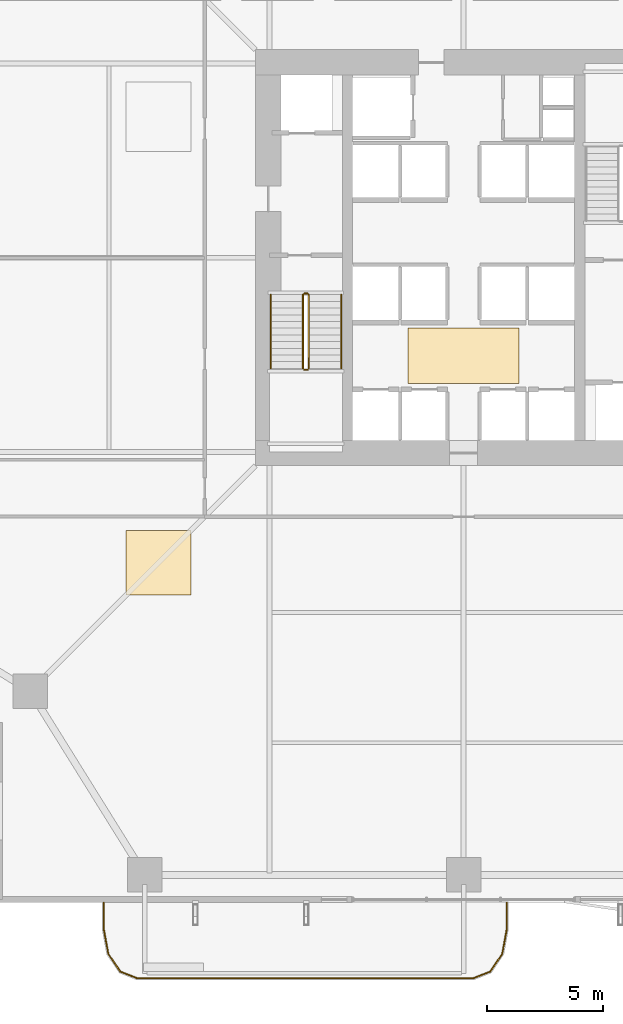
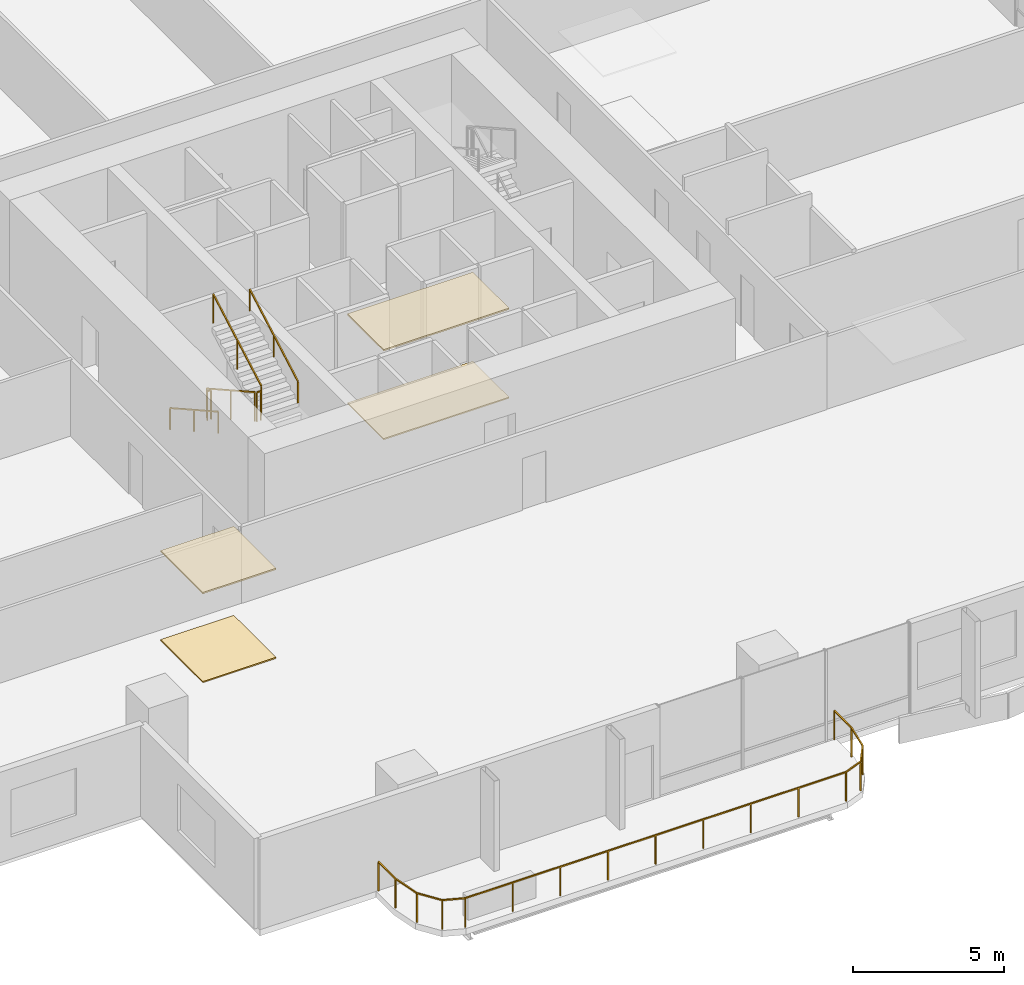
# One storey, part 21 of 23: 7 railings, 4 coverings.
"""IFC4 building model written with IfcOpenShell, lengths in metres."""

from ifc_helpers import new_model, si_unit, direction, frame, origin, origin_2d, place, context, subcontext, project, spatial, polyline, rectangle, outline, extrude, material, layer, layer_set, type_object, element, save


model = new_model("IFC4")

# Units and contexts
model_context = context("Model", 3, precision=1e-05, world=origin(), true_north=direction((0.0, 1.0)))
body_context = subcontext(model_context, "Body", "Model", "MODEL_VIEW")
ifc_project = project(units=[si_unit("LENGTHUNIT", "METRE"), si_unit("AREAUNIT", "SQUARE_METRE"), si_unit("VOLUMEUNIT", "CUBIC_METRE"), si_unit("PLANEANGLEUNIT", "RADIAN"), si_unit("MASSUNIT", "GRAM", prefix="KILO")], contexts=[model_context])

# Site, building, storey
site_placement = place(None, origin())
site = spatial("IfcSite", under=ifc_project, at=site_placement, CompositionType="ELEMENT")
building_placement = place(site_placement, origin())
building = spatial("IfcBuilding", under=site, at=building_placement, Name="Belovzor Exchange Tower", CompositionType="ELEMENT")
storey_placement = place(building_placement, frame((0.0, 0.0, 100.199951171875)))
storey = spatial("IfcBuildingStorey", under=building, at=storey_placement, Name="L24", CompositionType="ELEMENT", Elevation=100.199951171875)

# Railings
ifc_material_1 = material(Name="Stainless Steel Grade 304", Category="steel")
railing_type_1 = type_object("IfcRailingType", Name="Brushed Stainless Steel Stair Handrail 900", PredefinedType="HANDRAIL", material=ifc_material_1)
railing_1_placement = place(storey_placement, frame((20.449951171875, 27.199951171875, 0.16259765625)))
element("IfcRailing", 1, at=railing_1_placement, inside=storey, type_object=railing_type_1, Name="L24 ST-1 stair handrail 1", PredefinedType="HANDRAIL", context=body_context, shape_type="SweptSolid", body=[
    extrude(rectangle(XDim=0.048095703125, YDim=0.048095703125, at=origin_2d()), frame((0.0, 0.0, 0.8759765625), z_axis=(0.0, -0.872390997893, 0.488808701636), x_axis=(1.0, 0.0, 0.0)), (0.0, 0.0, 1.0), 3.656494140625),
    extrude(rectangle(XDim=0.0419921875, YDim=0.0419921875, at=origin_2d()), origin(), (0.0, 0.0, 1.0), 0.851806640625),
    extrude(rectangle(XDim=0.0419921875, YDim=0.0419921875, at=origin_2d()), frame((0.0, -1.594970703125, 0.8935546875)), (0.0, 0.0, 1.0), 0.851806640625),
    extrude(rectangle(XDim=0.0419921875, YDim=0.0419921875, at=origin_2d()), frame((0.0, -3.18994140625, 1.787353515625)), (0.0, 0.0, 1.0), 0.851806640625),
])
railing_2_placement = place(storey_placement, frame((23.5, 24.010009765625, 2.112548828125)))
element("IfcRailing", 2, at=railing_2_placement, inside=storey, type_object=railing_type_1, Name="L24 ST-1 stair handrail 2", PredefinedType="HANDRAIL", context=body_context, shape_type="SweptSolid", body=[
    extrude(rectangle(XDim=0.048095703125, YDim=0.048095703125, at=origin_2d()), frame((0.0, 0.0, 0.8759765625), z_axis=(0.0, 0.8723625253, 0.488859514025), x_axis=(-1.0, 0.0, 0.0)), (0.0, 0.0, 1.0), 3.65673828125),
    extrude(rectangle(XDim=0.0419921875, YDim=0.0419921875, at=origin_2d()), origin(), (0.0, 0.0, 1.0), 0.851806640625),
    extrude(rectangle(XDim=0.0419921875, YDim=0.0419921875, at=origin_2d()), frame((0.0, 1.594970703125, 0.893798828125)), (0.0, 0.0, 1.0), 0.851806640625),
    extrude(rectangle(XDim=0.0419921875, YDim=0.0419921875, at=origin_2d()), frame((0.0, 3.18994140625, 1.78759765625)), (0.0, 0.0, 1.0), 0.851806640625),
])
ifc_material_2 = material(Name="Stainless Steel and Laminated Safety Glass", Category="steel")
railing_type_2 = type_object("IfcRailingType", Name="Laminated Glass & Stainless Steel Balcony Balustrade 1200", PredefinedType="BALUSTRADE", material=ifc_material_2)
railing_3_placement = place(storey_placement, frame((13.22998046875, 0.889892578125, 0.0)))
element("IfcRailing", 3, at=railing_3_placement, inside=storey, type_object=railing_type_2, Name="GR-1 Balcony Balustrade L24 South", PredefinedType="BALUSTRADE", context=body_context, shape_type="SweptSolid", body=[
    extrude(rectangle(XDim=0.048095703125, YDim=0.048095703125, at=origin_2d()), frame((0.0, 0.0, 1.17578125), z_axis=(0.0, -1.0, 0.0), x_axis=(1.0, 0.0, 0.0)), (0.0, 0.0, 1.0), 1.1328125),
    extrude(rectangle(XDim=0.048095703125, YDim=0.048095703125, at=origin_2d()), frame((0.0, -1.1328125, 1.17578125), z_axis=(0.180083182347, -0.983651385113, 0.0), x_axis=(0.983651385113, 0.180083182347, 0.0)), (0.0, 0.0, 1.0), 1.093994140625),
    extrude(rectangle(XDim=0.048095703125, YDim=0.048095703125, at=origin_2d()), frame((0.197021484375, -2.208984375, 1.17578125), z_axis=(0.562768145367, -0.826614792125, 0.0), x_axis=(0.826614792125, 0.562768145367, 0.0)), (0.0, 0.0, 1.0), 0.9326171875),
    extrude(rectangle(XDim=0.048095703125, YDim=0.048095703125, at=origin_2d()), frame((0.721923828125, -2.97998046875, 1.17578125), z_axis=(0.930809580156, -0.365504480807, 0.0), x_axis=(0.365504480807, 0.930809580156, 0.0)), (0.0, 0.0, 1.0), 0.76611328125),
    extrude(rectangle(XDim=0.048095703125, YDim=0.048095703125, at=origin_2d()), frame((1.43505859375, -3.260009765625, 1.17578125), z_axis=(1.0, 0.0, 0.0), x_axis=(0.0, 1.0, 0.0)), (0.0, 0.0, 1.0), 14.570068359375),
    extrude(rectangle(XDim=0.048095703125, YDim=0.048095703125, at=origin_2d()), frame((16.005126953125, -3.260009765625, 1.17578125), z_axis=(0.930766990125, 0.365612923861, 0.0), x_axis=(-0.365612923861, 0.930766990125, 0.0)), (0.0, 0.0, 1.0), 0.765869140625),
    extrude(rectangle(XDim=0.048095703125, YDim=0.048095703125, at=origin_2d()), frame((16.718017578125, -2.97998046875, 1.17578125), z_axis=(0.562768145367, 0.826614792125, 0.0), x_axis=(-0.826614792125, 0.562768145367, 0.0)), (0.0, 0.0, 1.0), 0.9326171875),
    extrude(rectangle(XDim=0.048095703125, YDim=0.048095703125, at=origin_2d()), frame((17.242919921875, -2.208984375, 1.17578125), z_axis=(0.180083182347, 0.983651385113, 0.0), x_axis=(-0.983651385113, 0.180083182347, 0.0)), (0.0, 0.0, 1.0), 1.093994140625),
    extrude(rectangle(XDim=0.048095703125, YDim=0.048095703125, at=origin_2d()), frame((17.43994140625, -1.1328125, 1.17578125), z_axis=(0.0, 1.0, 0.0), x_axis=(-1.0, 0.0, 0.0)), (0.0, 0.0, 1.0), 1.1328125),
    extrude(rectangle(XDim=0.0419921875, YDim=0.0419921875, at=origin_2d()), origin(), (0.0, 0.0, 1.0), 1.15185546875),
    extrude(rectangle(XDim=0.0419921875, YDim=0.0419921875, at=origin_2d()), frame((0.0, -1.1328125, 0.0)), (0.0, 0.0, 1.0), 1.15185546875),
    extrude(rectangle(XDim=0.0419921875, YDim=0.0419921875, at=origin_2d()), frame((0.197021484375, -2.208984375, 0.0)), (0.0, 0.0, 1.0), 1.15185546875),
    extrude(rectangle(XDim=0.0419921875, YDim=0.0419921875, at=origin_2d()), frame((0.721923828125, -2.97998046875, 0.0)), (0.0, 0.0, 1.0), 1.15185546875),
    extrude(rectangle(XDim=0.0419921875, YDim=0.0419921875, at=origin_2d()), frame((1.43505859375, -3.260009765625, 0.0)), (0.0, 0.0, 1.0), 1.15185546875),
    extrude(rectangle(XDim=0.0419921875, YDim=0.0419921875, at=origin_2d()), frame((3.25634765625, -3.260009765625, 0.0)), (0.0, 0.0, 1.0), 1.15185546875),
    extrude(rectangle(XDim=0.0419921875, YDim=0.0419921875, at=origin_2d()), frame((5.07763671875, -3.260009765625, 0.0)), (0.0, 0.0, 1.0), 1.15185546875),
    extrude(rectangle(XDim=0.0419921875, YDim=0.0419921875, at=origin_2d()), frame((6.89892578125, -3.260009765625, 0.0)), (0.0, 0.0, 1.0), 1.15185546875),
    extrude(rectangle(XDim=0.0419921875, YDim=0.0419921875, at=origin_2d()), frame((8.72021484375, -3.260009765625, 0.0)), (0.0, 0.0, 1.0), 1.15185546875),
    extrude(rectangle(XDim=0.0419921875, YDim=0.0419921875, at=origin_2d()), frame((10.541259765625, -3.260009765625, 0.0)), (0.0, 0.0, 1.0), 1.15185546875),
    extrude(rectangle(XDim=0.0419921875, YDim=0.0419921875, at=origin_2d()), frame((12.362548828125, -3.260009765625, 0.0)), (0.0, 0.0, 1.0), 1.15185546875),
    extrude(rectangle(XDim=0.0419921875, YDim=0.0419921875, at=origin_2d()), frame((14.183837890625, -3.260009765625, 0.0)), (0.0, 0.0, 1.0), 1.15185546875),
    extrude(rectangle(XDim=0.0419921875, YDim=0.0419921875, at=origin_2d()), frame((16.005126953125, -3.260009765625, 0.0)), (0.0, 0.0, 1.0), 1.15185546875),
    extrude(rectangle(XDim=0.0419921875, YDim=0.0419921875, at=origin_2d()), frame((16.718017578125, -2.97998046875, 0.0)), (0.0, 0.0, 1.0), 1.15185546875),
    extrude(rectangle(XDim=0.0419921875, YDim=0.0419921875, at=origin_2d()), frame((17.242919921875, -2.208984375, 0.0)), (0.0, 0.0, 1.0), 1.15185546875),
    extrude(rectangle(XDim=0.0419921875, YDim=0.0419921875, at=origin_2d()), frame((17.43994140625, -1.1328125, 0.0)), (0.0, 0.0, 1.0), 1.15185546875),
    extrude(rectangle(XDim=0.0419921875, YDim=0.0419921875, at=origin_2d()), frame((17.43994140625, 0.0, 0.0)), (0.0, 0.0, 1.0), 1.15185546875),
])
ifc_material_3 = material(Name="Steel S355", Category="steel")
railing_type_3 = type_object("IfcRailingType", Name="Painted Steel Stairwell Guardrail 1200", PredefinedType="GUARDRAIL", material=ifc_material_3)
railing_4_placement = place(storey_placement, frame((21.85009765625, 27.199951171875, 0.16259765625)))
element("IfcRailing", 4, at=railing_4_placement, inside=storey, type_object=railing_type_3, Name="L24 ST-1 stair guard 1", PredefinedType="GUARDRAIL", context=body_context, shape_type="SweptSolid", body=[
    extrude(rectangle(XDim=0.048095703125, YDim=0.048095703125, at=origin_2d()), frame((0.0, 0.0, 1.17578125), z_axis=(0.0, -0.872390997893, 0.488808701636), x_axis=(1.0, 0.0, 0.0)), (0.0, 0.0, 1.0), 3.656494140625),
    extrude(rectangle(XDim=0.0419921875, YDim=0.0419921875, at=origin_2d()), origin(), (0.0, 0.0, 1.0), 1.15185546875),
    extrude(rectangle(XDim=0.0419921875, YDim=0.0419921875, at=origin_2d()), frame((0.0, -1.594970703125, 0.8935546875)), (0.0, 0.0, 1.0), 1.15185546875),
    extrude(rectangle(XDim=0.0419921875, YDim=0.0419921875, at=origin_2d()), frame((0.0, -3.18994140625, 1.787353515625)), (0.0, 0.0, 1.0), 1.15185546875),
])
railing_5_placement = place(storey_placement, frame((21.89990234375, 23.9599609375, 1.949951171875)))
element("IfcRailing", 5, at=railing_5_placement, inside=storey, type_object=railing_type_3, Name="L24 ST-1 stair guard 2", PredefinedType="GUARDRAIL", context=body_context, shape_type="SweptSolid", body=[
    extrude(rectangle(XDim=0.048095703125, YDim=0.048095703125, at=origin_2d()), frame((0.0, 0.0, 1.17578125), z_axis=(1.0, 0.0, 0.0), x_axis=(0.0, 1.0, 0.0)), (0.0, 0.0, 1.0), 0.150146484375),
    extrude(rectangle(XDim=0.0419921875, YDim=0.0419921875, at=origin_2d()), origin(), (0.0, 0.0, 1.0), 1.15185546875),
    extrude(rectangle(XDim=0.0419921875, YDim=0.0419921875, at=origin_2d()), frame((0.150146484375, 0.0, 0.0)), (0.0, 0.0, 1.0), 1.15185546875),
])
railing_6_placement = place(storey_placement, frame((22.10009765625, 24.010009765625, 2.112548828125)))
element("IfcRailing", 6, at=railing_6_placement, inside=storey, type_object=railing_type_3, Name="L24 ST-1 stair guard 3", PredefinedType="GUARDRAIL", context=body_context, shape_type="SweptSolid", body=[
    extrude(rectangle(XDim=0.048095703125, YDim=0.048095703125, at=origin_2d()), frame((0.0, 0.0, 1.17578125), z_axis=(0.0, 0.8723625253, 0.488859514025), x_axis=(-1.0, 0.0, 0.0)), (0.0, 0.0, 1.0), 3.65673828125),
    extrude(rectangle(XDim=0.0419921875, YDim=0.0419921875, at=origin_2d()), origin(), (0.0, 0.0, 1.0), 1.15185546875),
    extrude(rectangle(XDim=0.0419921875, YDim=0.0419921875, at=origin_2d()), frame((0.0, 1.594970703125, 0.893798828125)), (0.0, 0.0, 1.0), 1.15185546875),
    extrude(rectangle(XDim=0.0419921875, YDim=0.0419921875, at=origin_2d()), frame((0.0, 3.18994140625, 1.78759765625)), (0.0, 0.0, 1.0), 1.15185546875),
])
railing_7_placement = place(storey_placement, frame((21.89990234375, 27.25, 0.0)))
element("IfcRailing", 7, at=railing_7_placement, inside=storey, type_object=railing_type_3, Name="L24 ST-1 stair guard 4", PredefinedType="GUARDRAIL", context=body_context, shape_type="SweptSolid", body=[
    extrude(rectangle(XDim=0.048095703125, YDim=0.048095703125, at=origin_2d()), frame((0.0, 0.0, 1.17578125), z_axis=(1.0, 0.0, 0.0), x_axis=(0.0, 1.0, 0.0)), (0.0, 0.0, 1.0), 0.150146484375),
    extrude(rectangle(XDim=0.0419921875, YDim=0.0419921875, at=origin_2d()), origin(), (0.0, 0.0, 1.0), 1.15185546875),
    extrude(rectangle(XDim=0.0419921875, YDim=0.0419921875, at=origin_2d()), frame((0.150146484375, 0.0, 0.0)), (0.0, 0.0, 1.0), 1.15185546875),
])

# Coverings
ifc_material_4 = material(Name="Perforated Powder-Coated Aluminium", Category="aluminium")
ifc_layer_1 = layer(ifc_material_4, 0.06005859375)
ifc_layer_set_1 = layer_set([ifc_layer_1], Name="Perforated Powder-Coated Aluminium")
covering_type_1 = type_object("IfcCoveringType", Name="Perforated Acoustic Metal Tile Suspended Ceiling 60", PredefinedType="CEILING", material=ifc_layer_set_1)
covering_1_placement = place(storey_placement, frame((0.0, 0.0, 3.590087890625)))
element("IfcCovering", 8, at=covering_1_placement, inside=storey, type_object=covering_type_1, Name="CLG-AC60 Suspended Ceiling CLG-L24-LOB", PredefinedType="CEILING", context=body_context, shape_type="SweptSolid", body=[
    extrude(outline(polyline([(26.39990234375, 23.35009765625), (31.199951171875, 23.35009765625), (31.199951171875, 25.75), (26.39990234375, 25.75), (26.39990234375, 23.35009765625)])), origin(), (0.0, 0.0, 1.0), 0.06005859375),
])
covering_2_placement = place(storey_placement, frame((0.0, 0.0, 3.590087890625)))
element("IfcCovering", 9, at=covering_2_placement, inside=storey, type_object=covering_type_1, Name="CLG-AC60 Suspended Ceiling CLG-L24-Z0", PredefinedType="CEILING", context=body_context, shape_type="SweptSolid", body=[
    extrude(outline(polyline([(14.199951171875, 14.199951171875), (17.0, 14.199951171875), (17.0, 17.0), (14.199951171875, 17.0), (14.199951171875, 14.199951171875)])), origin(), (0.0, 0.0, 1.0), 0.06005859375),
])
ifc_material_5 = material(Name="Polished Natural Granite Tile", Category="masonry")
ifc_layer_2 = layer(ifc_material_5, 0.050048828125)
ifc_layer_set_2 = layer_set([ifc_layer_2], Name="Polished Natural Granite Tile")
covering_type_2 = type_object("IfcCoveringType", Name="Polished Karelian Granite & Raised Access Floor Finish 50", PredefinedType="FLOORING", material=ifc_layer_set_2)
covering_3_placement = place(storey_placement, origin())
element("IfcCovering", 10, at=covering_3_placement, inside=storey, type_object=covering_type_2, Name="FLR-GR50 Floor Finish FLR-L24-LOB", PredefinedType="FLOORING", context=body_context, shape_type="SweptSolid", body=[
    extrude(outline(polyline([(26.39990234375, 23.35009765625), (31.199951171875, 23.35009765625), (31.199951171875, 25.75), (26.39990234375, 25.75), (26.39990234375, 23.35009765625)])), origin(), (0.0, 0.0, 1.0), 0.050048828125),
])
covering_4_placement = place(storey_placement, origin())
element("IfcCovering", 11, at=covering_4_placement, inside=storey, type_object=covering_type_2, Name="FLR-GR50 Floor Finish FLR-L24-Z0", PredefinedType="FLOORING", context=body_context, shape_type="SweptSolid", body=[
    extrude(outline(polyline([(14.199951171875, 14.199951171875), (17.0, 14.199951171875), (17.0, 17.0), (14.199951171875, 17.0), (14.199951171875, 14.199951171875)])), origin(), (0.0, 0.0, 1.0), 0.050048828125),
])

save(model, "model.ifc")
